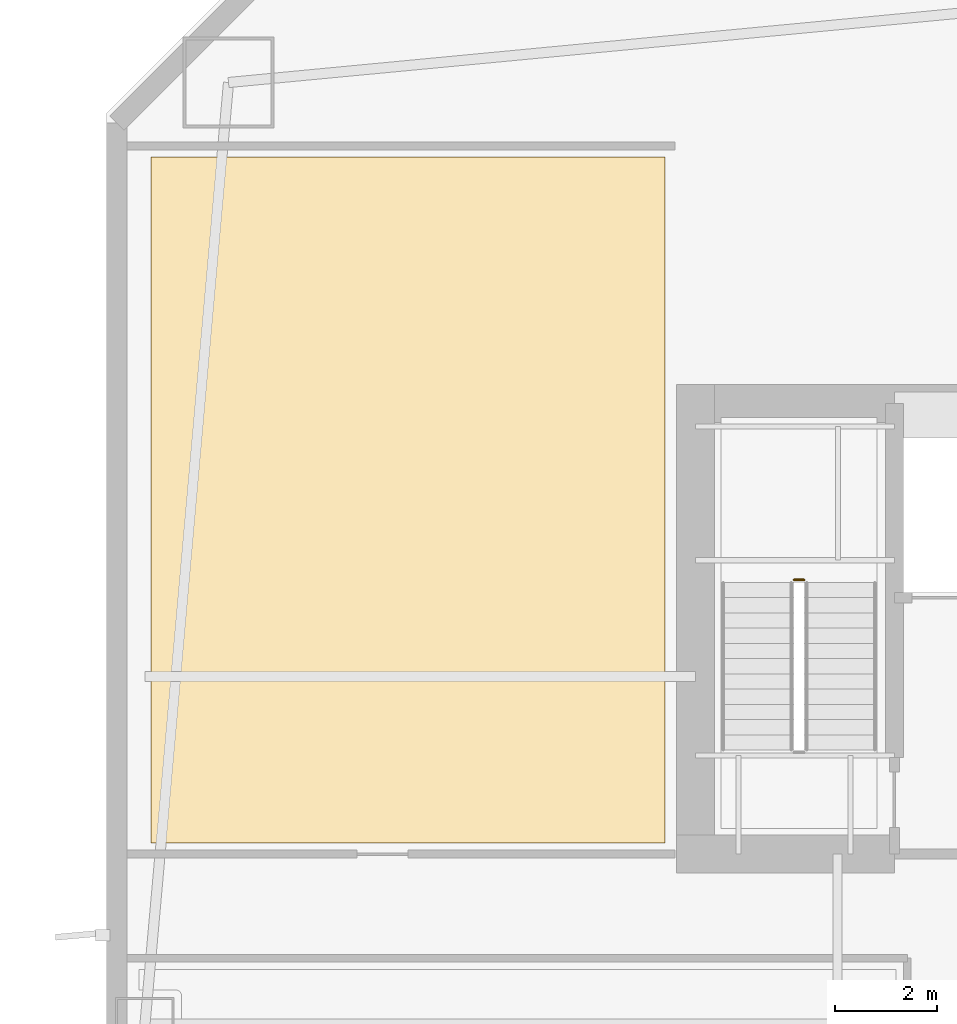
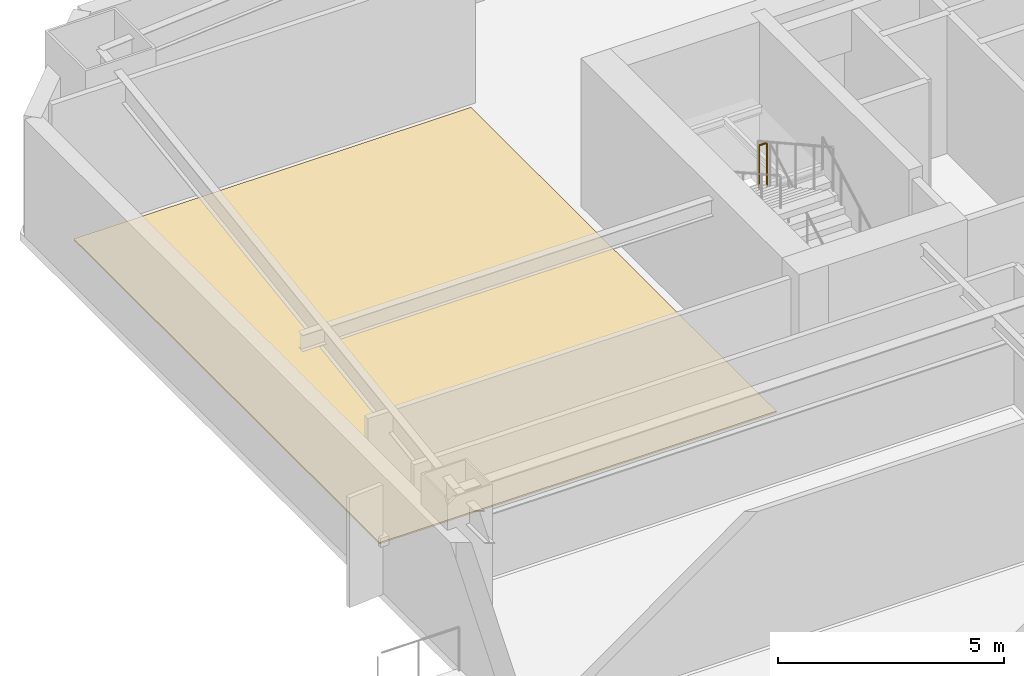
# One storey, part 16 of 21: 1 covering, 1 railing.
"""IFC4 building model written with IfcOpenShell, lengths in metres."""

from ifc_helpers import new_model, si_unit, direction, frame, origin, origin_2d, place, context, subcontext, project, spatial, polyline, circle, outline, extrude, material, layer, layer_set, type_object, element, save


model = new_model("IFC4")

# Units and contexts
model_context = context("Model", 3, precision=1e-05, world=origin(), true_north=direction((0.0, 1.0)))
body_context = subcontext(model_context, "Body", "Model", "MODEL_VIEW")
ifc_project = project(units=[si_unit("LENGTHUNIT", "METRE"), si_unit("AREAUNIT", "SQUARE_METRE"), si_unit("VOLUMEUNIT", "CUBIC_METRE"), si_unit("PLANEANGLEUNIT", "RADIAN"), si_unit("MASSUNIT", "GRAM", prefix="KILO")], contexts=[model_context])

# Site, building, storey
site_placement = place(None, origin())
site = spatial("IfcSite", under=ifc_project, at=site_placement, CompositionType="ELEMENT")
building_placement = place(site_placement, origin())
building = spatial("IfcBuilding", under=site, at=building_placement, Name="Qiaolan Cultural Towers", CompositionType="ELEMENT")
storey_placement = place(building_placement, frame((0.0, 0.0, 34.0)))
storey = spatial("IfcBuildingStorey", under=building, at=storey_placement, Name="L07", CompositionType="ELEMENT", Elevation=34.0)

# Covering
ifc_material_1 = material(Name="Honed Terrazzo & Raised Access Flooring", Category="concrete")
ifc_layer = layer(ifc_material_1, 0.0400390625)
ifc_layer_set = layer_set([ifc_layer], Name="Honed Terrazzo & Raised Access Flooring")
covering_type = type_object("IfcCoveringType", Name="COV-FLR-STONE", PredefinedType="FLOORING", material=ifc_layer_set)
covering_placement = place(storey_placement, origin())
element("IfcCovering", 1, at=covering_placement, inside=storey, type_object=covering_type, Name="L07 Corner Conservation Studio Finish Flooring", PredefinedType="FLOORING", context=body_context, shape_type="SweptSolid", body=[
    extrude(outline(polyline([(21.199951171875, 46.6201171875), (21.199951171875, 60.1298828125), (11.070068359375, 60.1298828125), (11.070068359375, 46.6201171875), (21.199951171875, 46.6201171875)])), origin(), (0.0, 0.0, 1.0), 0.0400390625),
])

# Railing
ifc_material_2 = material(Name="Galvanized Painted Steel Stair Guardrail", Category="steel")
railing_type = type_object("IfcRailingType", Name="RL-STAIR-GRD", PredefinedType="GUARDRAIL", material=ifc_material_2)
railing_placement = place(storey_placement, frame((23.93994140625, 51.800048828125, 2.0)))
element("IfcRailing", 2, at=railing_placement, inside=storey, type_object=railing_type, Name="L07 ST-W2 stair guard 2", PredefinedType="GUARDRAIL", context=body_context, shape_type="SweptSolid", body=[
    extrude(circle(Radius=0.02392578125, at=origin_2d()), frame((0.0, 0.0, 1.17578125), z_axis=(-1.0, 0.0, 0.0), x_axis=(0.0, -1.0, 0.0)), (0.0, 0.0, 1.0), 0.199951171875),
    extrude(circle(Radius=0.02099609375, at=origin_2d()), origin(), (0.0, 0.0, 1.0), 1.15185546875),
    extrude(circle(Radius=0.02099609375, at=origin_2d()), frame((-0.199951171875, 0.0, 0.0)), (0.0, 0.0, 1.0), 1.15185546875),
])

save(model, "model.ifc")
